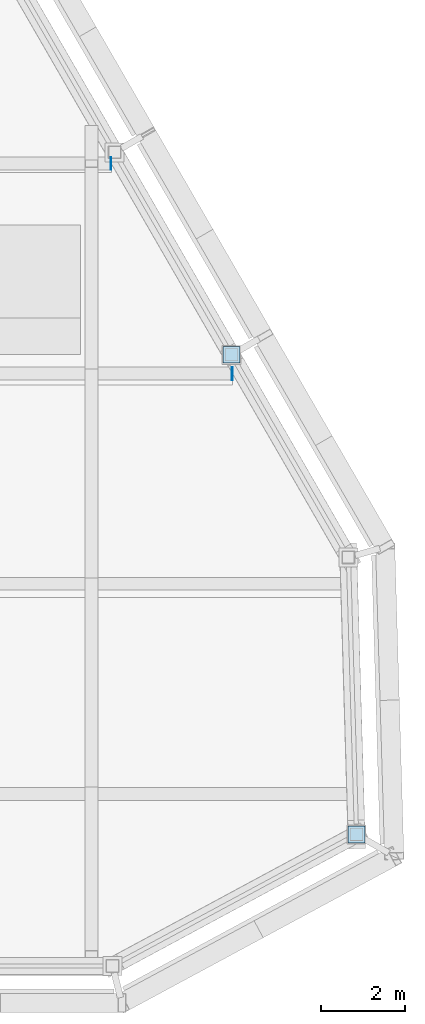
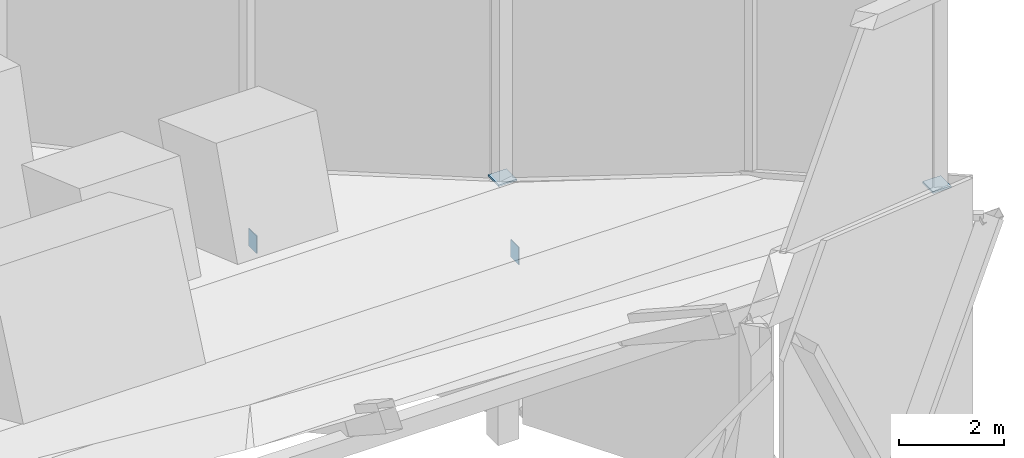
# One storey, part 10 of 13: 4 plates.
"""IFC4 building model written with IfcOpenShell, lengths in metres."""

from ifc_helpers import new_model, si_unit, direction, frame, origin, origin_2d, place, context, subcontext, project, spatial, rectangle, extrude, material, layer, layer_set, type_object, element, save


model = new_model("IFC4")

# Units and contexts
model_context = context("Model", 3, precision=1e-05, world=origin(), true_north=direction((0.0, 1.0)))
body_context = subcontext(model_context, "Body", "Model", "MODEL_VIEW")
ifc_project = project(units=[si_unit("LENGTHUNIT", "METRE"), si_unit("AREAUNIT", "SQUARE_METRE"), si_unit("VOLUMEUNIT", "CUBIC_METRE"), si_unit("PLANEANGLEUNIT", "RADIAN"), si_unit("MASSUNIT", "GRAM", prefix="KILO")], contexts=[model_context])

# Site, building, storey
site_placement = place(None, origin())
site = spatial("IfcSite", under=ifc_project, at=site_placement, CompositionType="ELEMENT")
building_placement = place(site_placement, origin())
building = spatial("IfcBuilding", under=site, at=building_placement, Name="Firuza Gate Tower and Library", CompositionType="ELEMENT")
storey_placement = place(building_placement, frame((0.0, 0.0, 358.0)))
storey = spatial("IfcBuildingStorey", under=building, at=storey_placement, Name="Upper roof", CompositionType="ELEMENT", Elevation=358.0)

# Plates
ifc_material_1 = material(Name="Steel S355", Category="steel")
ifc_layer_1 = layer(ifc_material_1, 0.0400390625)
ifc_layer_set_1 = layer_set([ifc_layer_1], Name="Finial mast base plate")
plate_type_1 = type_object("IfcPlateType", Name="Finial mast base plate", PredefinedType="SHEET", material=ifc_layer_set_1)
for number, where, z_axis, x_axis, name in (
    (1, (94.64111328125, 63.66015625, 11.281005859375), (0.0, 0.0, 1.0), (1.0, 0.0, 0.0), "Finial mast base plate 9"),
    (2, (91.677734375, 75.0283203125, 5.58154296875), (0.0, 0.0, 1.0), (1.0, 0.0, 0.0), "Finial mast base plate 11"),
):
    element("IfcPlate", number, at=place(storey_placement, frame(where, z_axis=z_axis, x_axis=x_axis)), inside=storey, type_object=plate_type_1, Name=name, PredefinedType="SHEET", context=body_context, shape_type="SweptSolid", body=[
        extrude(rectangle(XDim=0.39990234375, YDim=0.39990234375, at=origin_2d()), origin(), (0.0, 0.0, 1.0), 0.0400390625),
    ])
ifc_material_2 = material(Name="Steel S355", Category="steel")
ifc_layer_2 = layer(ifc_material_2, 0.02001953125)
ifc_layer_set_2 = layer_set([ifc_layer_2], Name="Roof arc girder end plate")
plate_type_2 = type_object("IfcPlateType", Name="Roof arc girder end plate", PredefinedType="SHEET", material=ifc_layer_set_2)
for number, where, z_axis, x_axis, name in (
    (3, (91.69482421875, 74.58154296875, 3.94091796875), (0.0, 0.0, 1.0), (1.0, 0.0, 0.0), "Roof arc girder end plate 4.2"),
    (4, (88.81982421875, 79.56103515625, 2.18798828125), (0.0, 0.0, 1.0), (1.0, 0.0, 0.0), "Roof arc girder end plate 5.2"),
):
    element("IfcPlate", number, at=place(storey_placement, frame(where, z_axis=z_axis, x_axis=x_axis)), inside=storey, type_object=plate_type_2, Name=name, PredefinedType="SHEET", context=body_context, shape_type="SweptSolid", body=[
        extrude(rectangle(XDim=0.02001953125, YDim=0.3046875, at=origin_2d()), origin(), (0.0, 0.0, 1.0), 0.406494140625),
    ])

save(model, "model.ifc")
